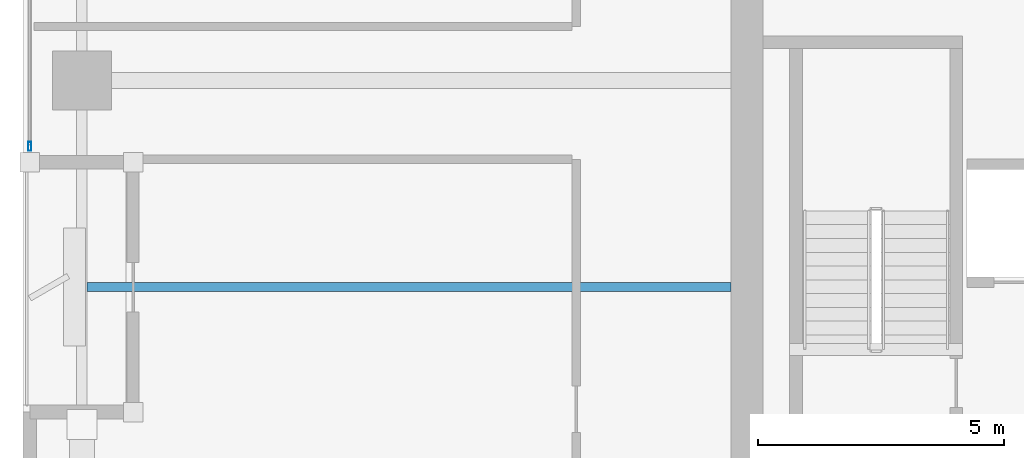
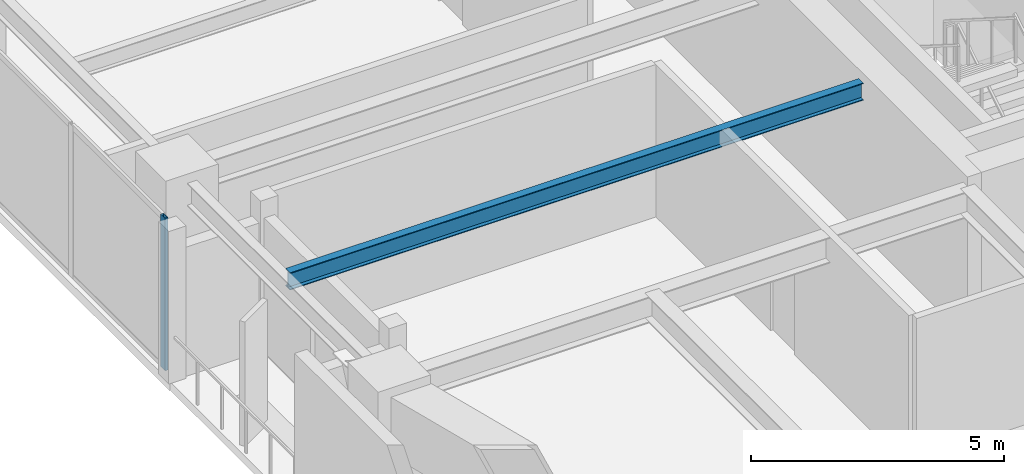
# One storey, part 2 of 30: 1 beam, 1 member, 1 element without a shape of its own.
"""IFC4 building model written with IfcOpenShell, lengths in metres."""

from ifc_helpers import new_model, si_unit, direction, frame, origin, origin_2d, place, context, subcontext, project, spatial, hollow_rectangle, i_section, extrude, material, layer, layer_set, material_profile, profile_set, type_object, element, aggregate, save


model = new_model("IFC4")

# Units and contexts
model_context = context("Model", 3, precision=1e-05, world=origin(), true_north=direction((0.0, 1.0)))
body_context = subcontext(model_context, "Body", "Model", "MODEL_VIEW")
ifc_project = project(units=[si_unit("LENGTHUNIT", "METRE"), si_unit("AREAUNIT", "SQUARE_METRE"), si_unit("VOLUMEUNIT", "CUBIC_METRE"), si_unit("PLANEANGLEUNIT", "RADIAN"), si_unit("MASSUNIT", "GRAM", prefix="KILO")], contexts=[model_context])

# Site, building, storey
site_placement = place(None, origin())
site = spatial("IfcSite", under=ifc_project, at=site_placement, CompositionType="ELEMENT")
building_placement = place(site_placement, origin())
building = spatial("IfcBuilding", under=site, at=building_placement, Name="Kiyonajd Concourse Tower", CompositionType="ELEMENT")
storey_placement = place(building_placement, frame((0.0, 0.0, 194.10009765625)))
storey = spatial("IfcBuildingStorey", under=building, at=storey_placement, Name="L49", CompositionType="ELEMENT", Elevation=194.10009765625)

# Beam
ifc_material_1 = material(Name="Steel ASTM A992 Grade 50", Category="steel")
ifc_material_profile_1 = material_profile(ifc_material_1, i_section(OverallWidth=0.180908203125, OverallDepth=0.4169921875, WebThickness=0.010986328125, FlangeThickness=0.018310546875, at=origin_2d()), Name="W410X85")
ifc_profile_set_1 = profile_set([ifc_material_profile_1], Name="Steel ASTM A992 Grade 50")
beam_type = type_object("IfcBeamType", Name="BM-JST-410", PredefinedType="JOIST", material=ifc_profile_set_1)
beam_placement = place(storey_placement, frame((19.306884765625, 31.800048828125, 3.471435546875), z_axis=(1.0, 0.0, 0.0), x_axis=(0.0, 1.0, 0.0)))
element("IfcBeam", 1, at=beam_placement, inside=storey, type_object=beam_type, Name="L49 West Secondary Floor Joist", PredefinedType="JOIST", context=body_context, shape_type="SweptSolid", body=[
    extrude(i_section(OverallWidth=0.180908203125, OverallDepth=0.4169921875, WebThickness=0.010986328125, FlangeThickness=0.018310546875, at=origin_2d()), origin(), (0.0, 0.0, 1.0), 13.093017578125),
])

# Curtain wall, member
ifc_material_2 = material(Name="Thermally Broken Anodised Aluminium", Category="aluminium")
ifc_layer = layer(ifc_material_2, 0.179931640625)
ifc_layer_set = layer_set([ifc_layer], Name="Thermally Broken Anodised Aluminium")
curtain_wall_type = type_object("IfcCurtainWallType", Name="CW-SYS-03", PredefinedType="NOTDEFINED", material=ifc_layer_set)
curtain_wall_placement = place(storey_placement, origin())
curtain_wall = element("IfcCurtainWall", 2, at=curtain_wall_placement, inside=storey, type_object=curtain_wall_type, Name="L49 Unitised Curtain Wall CW3", PredefinedType="NOTDEFINED")
ifc_material_profile_2 = material_profile(ifc_material_2, hollow_rectangle(XDim=0.06494140625, YDim=0.179931640625, WallThickness=0.00390625, at=origin_2d()), Name="MULL-65x180")
ifc_profile_set_2 = profile_set([ifc_material_profile_2], Name="Thermally Broken Anodised Aluminium")
member_type = type_object("IfcMemberType", Name="MB-CW-MULL1", PredefinedType="MULLION", material=ifc_profile_set_2)
member_placement = place(storey_placement, frame((18.139892578125, 34.66259765625, 0.0), z_axis=(0.0, 0.0, 1.0), x_axis=(-1.0, 0.0, 0.0)))
member = element("IfcMember", 3, at=member_placement, type_object=member_type, Name="CW3 mullion 1", PredefinedType="MULLION", context=body_context, shape_type="SweptSolid", body=[
    extrude(hollow_rectangle(XDim=0.06494140625, YDim=0.179931640625, WallThickness=0.00390625, at=origin_2d()), origin(), (0.0, 0.0, 1.0), 3.679931640625),
])
aggregate(curtain_wall, [member])

save(model, "model.ifc")
